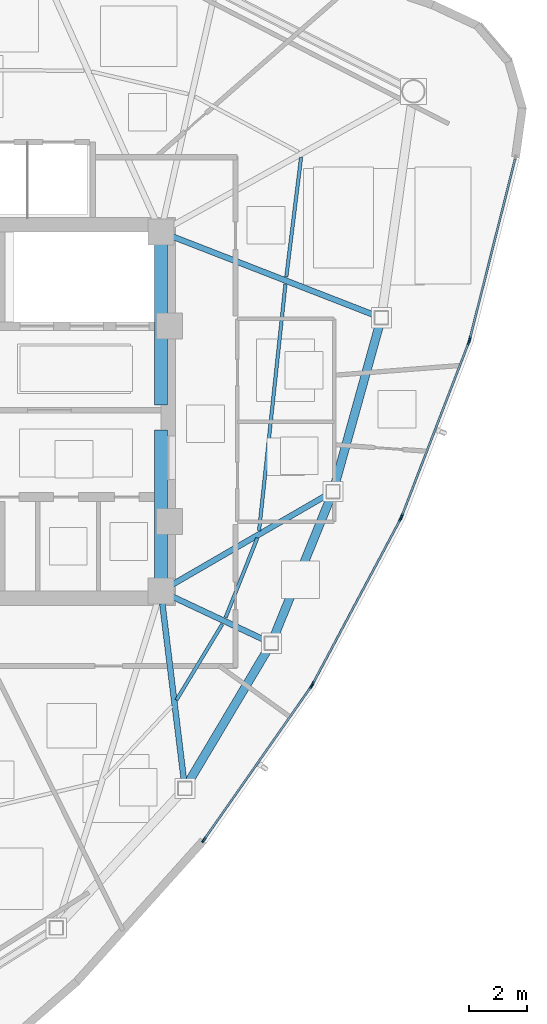
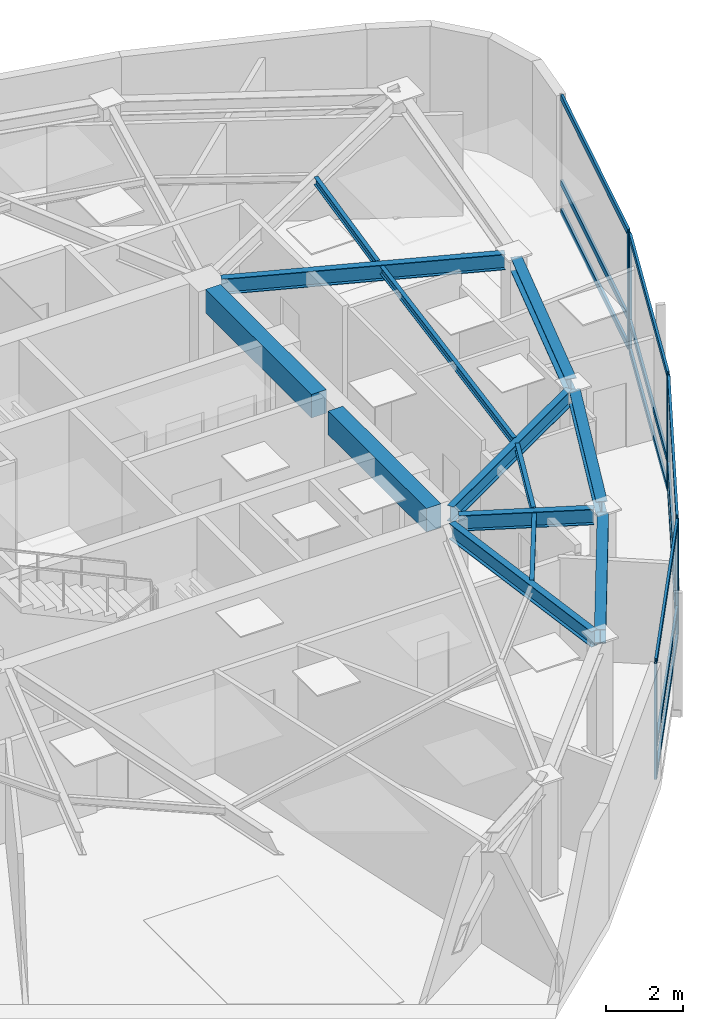
# One storey, part 4 of 12: 19 members, 13 beams, 4 elements without a shape of their own.
"""IFC4 building model written with IfcOpenShell, lengths in metres."""

from ifc_helpers import new_model, si_unit, direction, frame, origin, origin_2d, place, context, subcontext, project, spatial, rectangle, hollow_rectangle, i_section, extrude, source, transform, mapped, material, layer, layer_set, material_profile, profile_set, type_object, type_shapes, element, aggregate, save


model = new_model("IFC4")

# Units and contexts
model_context = context("Model", 3, precision=1e-05, world=origin(), true_north=direction((0.0, 1.0)))
body_context = subcontext(model_context, "Body", "Model", "MODEL_VIEW")
ifc_project = project(units=[si_unit("LENGTHUNIT", "METRE"), si_unit("AREAUNIT", "SQUARE_METRE"), si_unit("VOLUMEUNIT", "CUBIC_METRE"), si_unit("PLANEANGLEUNIT", "RADIAN"), si_unit("MASSUNIT", "GRAM", prefix="KILO")], contexts=[model_context])

# Site, building, storey
site_placement = place(None, origin())
site = spatial("IfcSite", under=ifc_project, at=site_placement, CompositionType="ELEMENT")
building_placement = place(site_placement, origin())
building = spatial("IfcBuilding", under=site, at=building_placement, Name="Tavelor Broadcast Tower", CompositionType="ELEMENT")
storey_placement = place(building_placement, frame((0.0, 0.0, 289.5)))
storey = spatial("IfcBuildingStorey", under=building, at=storey_placement, Name="L69", CompositionType="ELEMENT", Elevation=289.5)

# Beams
ifc_material_1 = material(Name="Concrete C40/50", Category="concrete")
ifc_material_profile_1 = material_profile(ifc_material_1, rectangle(XDim=0.449951171875, YDim=0.75, at=origin_2d()), Name="RC 450x750")
ifc_profile_set_1 = profile_set([ifc_material_profile_1], Name="Concrete C40/50")
beam_type_1 = type_object("IfcBeamType", Name="Basement Core Trim Beam 450x750", PredefinedType="BEAM", material=ifc_profile_set_1)
beam_1_placement = place(storey_placement, frame((56.60009765625, 45.23193359375, 3.324951171875), z_axis=(0.0, 1.0, 0.0), x_axis=(-1.0, 0.0, 0.0)))
element("IfcBeam", 1, at=beam_1_placement, inside=storey, type_object=beam_type_1, Name="L69 Core East-N Tie Girder", PredefinedType="BEAM", context=body_context, shape_type="SweptSolid", body=[
    extrude(rectangle(XDim=0.449951171875, YDim=0.75, at=origin_2d()), origin(), (0.0, 0.0, 1.0), 5.5361328125),
])
beam_2_placement = place(storey_placement, frame((56.60009765625, 39.23193359375, 3.324951171875), z_axis=(0.0, 1.0, 0.0), x_axis=(-1.0, 0.0, 0.0)))
element("IfcBeam", 2, at=beam_2_placement, inside=storey, type_object=beam_type_1, Name="L69 Core East-S Tie Girder", PredefinedType="BEAM", context=body_context, shape_type="SweptSolid", body=[
    extrude(rectangle(XDim=0.449951171875, YDim=0.75, at=origin_2d()), origin(), (0.0, 0.0, 1.0), 5.135986328125),
])
ifc_material_2 = material(Name="Steel S355", Category="steel")
ifc_material_profile_2 = material_profile(ifc_material_2, i_section(OverallWidth=0.1201171875, OverallDepth=0.239990234375, WebThickness=0.006103515625, FlangeThickness=0.009765625, at=origin_2d()), Name="IPE 240")
ifc_profile_set_2 = profile_set([ifc_material_profile_2], Name="Steel S355")
beam_type_2 = type_object("IfcBeamType", Name="Composite Floor Joist T7 IPE 240", PredefinedType="JOIST", material=ifc_profile_set_2)
beam_3_placement = place(storey_placement, frame((57.13916015625, 35.042724609375, 3.580078125), z_axis=(0.517298358592, 0.855805122793, 0.0), x_axis=(-0.855805122793, 0.517298358592, 0.0)))
element("IfcBeam", 3, at=beam_3_placement, inside=storey, type_object=beam_type_2, Name="L69 Secondary Composite Floor Joist 09", PredefinedType="JOIST", context=body_context, shape_type="SweptSolid", body=[
    extrude(i_section(OverallWidth=0.1201171875, OverallDepth=0.239990234375, WebThickness=0.006103515625, FlangeThickness=0.009765625, at=origin_2d()), origin(), (0.0, 0.0, 1.0), 3.058837890625),
])
beam_4_placement = place(storey_placement, frame((58.8359375, 37.890625, 3.580078125), z_axis=(0.370036486067, 0.929017222111, 0.0), x_axis=(-0.929017222111, 0.370036486067, 0.0)))
element("IfcBeam", 4, at=beam_4_placement, inside=storey, type_object=beam_type_2, Name="L69 Secondary Composite Floor Joist 10", PredefinedType="JOIST", context=body_context, shape_type="SweptSolid", body=[
    extrude(i_section(OverallWidth=0.1201171875, OverallDepth=0.239990234375, WebThickness=0.006103515625, FlangeThickness=0.009765625, at=origin_2d()), origin(), (0.0, 0.0, 1.0), 2.953857421875),
])
beam_5_placement = place(storey_placement, frame((59.990478515625, 40.8828125, 3.580078125), z_axis=(0.106517007909, 0.994310880473, 0.0), x_axis=(-0.994310880473, 0.106517007909, 0.0)))
element("IfcBeam", 5, at=beam_5_placement, inside=storey, type_object=beam_type_2, Name="L69 Secondary Composite Floor Joist 11", PredefinedType="JOIST", context=body_context, shape_type="SweptSolid", body=[
    extrude(i_section(OverallWidth=0.1201171875, OverallDepth=0.239990234375, WebThickness=0.006103515625, FlangeThickness=0.009765625, at=origin_2d()), origin(), (0.0, 0.0, 1.0), 8.558349609375),
])
beam_6_placement = place(storey_placement, frame((60.931884765625, 49.648681640625, 3.580078125), z_axis=(0.12271283089, 0.992442220552, 0.0), x_axis=(-0.992442220552, 0.12271283089, 0.0)))
element("IfcBeam", 6, at=beam_6_placement, inside=storey, type_object=beam_type_2, Name="L69 Secondary Composite Floor Joist 12", PredefinedType="JOIST", context=body_context, shape_type="SweptSolid", body=[
    extrude(i_section(OverallWidth=0.1201171875, OverallDepth=0.239990234375, WebThickness=0.006103515625, FlangeThickness=0.009765625, at=origin_2d()), origin(), (0.0, 0.0, 1.0), 4.16015625),
])
ifc_material_profile_3 = material_profile(ifc_material_2, i_section(OverallWidth=0.300048828125, OverallDepth=0.43994140625, WebThickness=0.011474609375, FlangeThickness=0.02099609375, at=origin_2d()), Name="HEA 450")
ifc_profile_set_3 = profile_set([ifc_material_profile_3], Name="Steel S355")
beam_type_3 = type_object("IfcBeamType", Name="Perimeter Spandrel Beam T7 HEA 450", PredefinedType="SPANDREL", material=ifc_profile_set_3)
beam_7_placement = place(storey_placement, frame((57.55419921875, 32.1982421875, 3.47998046875), z_axis=(0.511838109634, 0.859081922477, 0.0), x_axis=(-0.859081922477, 0.511838109634, 0.0)))
element("IfcBeam", 7, at=beam_7_placement, inside=storey, type_object=beam_type_3, Name="L69 Framed-Tube Ring Spandrel 09", PredefinedType="SPANDREL", context=body_context, shape_type="SweptSolid", body=[
    extrude(i_section(OverallWidth=0.300048828125, OverallDepth=0.43994140625, WebThickness=0.011474609375, FlangeThickness=0.02099609375, at=origin_2d()), origin(), (0.0, 0.0, 1.0), 5.354736328125),
])
beam_8_placement = place(storey_placement, frame((60.5078125, 37.226806640625, 3.47998046875), z_axis=(0.376269405566, 0.926510299152, 0.0), x_axis=(-0.926510299152, 0.376269405566, 0.0)))
element("IfcBeam", 8, at=beam_8_placement, inside=storey, type_object=beam_type_3, Name="L69 Framed-Tube Ring Spandrel 10", PredefinedType="SPANDREL", context=body_context, shape_type="SweptSolid", body=[
    extrude(i_section(OverallWidth=0.300048828125, OverallDepth=0.43994140625, WebThickness=0.011474609375, FlangeThickness=0.02099609375, at=origin_2d()), origin(), (0.0, 0.0, 1.0), 5.17138671875),
])
beam_9_placement = place(storey_placement, frame((62.608154296875, 42.4716796875, 3.47998046875), z_axis=(0.268356099851, 0.963319782664, 0.0), x_axis=(-0.963319782664, 0.268356099851, 0.0)))
element("IfcBeam", 9, at=beam_9_placement, inside=storey, type_object=beam_type_3, Name="L69 Framed-Tube Ring Spandrel 11", PredefinedType="SPANDREL", context=body_context, shape_type="SweptSolid", body=[
    extrude(i_section(OverallWidth=0.300048828125, OverallDepth=0.43994140625, WebThickness=0.011474609375, FlangeThickness=0.02099609375, at=origin_2d()), origin(), (0.0, 0.0, 1.0), 5.7451171875),
])
ifc_material_profile_4 = material_profile(ifc_material_2, i_section(OverallWidth=0.199951171875, OverallDepth=0.5, WebThickness=0.01025390625, FlangeThickness=0.01611328125, at=origin_2d()), Name="IPE 500")
ifc_profile_set_4 = profile_set([ifc_material_profile_4], Name="Steel S355")
beam_type_4 = type_object("IfcBeamType", Name="Radial Floor Girder T7 IPE 500", PredefinedType="BEAM", material=ifc_profile_set_4)
beam_10_placement = place(storey_placement, frame((56.65234375, 38.37109375, 3.449951171875), z_axis=(0.121231727596, -0.992624233144, 0.0), x_axis=(0.992624233144, 0.121231727596, 0.0)))
element("IfcBeam", 10, at=beam_10_placement, inside=storey, type_object=beam_type_4, Name="L69 Radial Primary Floor Girder 09", PredefinedType="BEAM", context=body_context, shape_type="SweptSolid", body=[
    extrude(i_section(OverallWidth=0.199951171875, OverallDepth=0.5, WebThickness=0.01025390625, FlangeThickness=0.01611328125, at=origin_2d()), origin(), (0.0, 0.0, 1.0), 6.1865234375),
])
beam_11_placement = place(storey_placement, frame((56.990966796875, 38.6162109375, 3.449951171875), z_axis=(0.904907602736, -0.425608071483, 0.0), x_axis=(0.425608071483, 0.904907602736, 0.0)))
element("IfcBeam", 11, at=beam_11_placement, inside=storey, type_object=beam_type_4, Name="L69 Radial Primary Floor Girder 10", PredefinedType="BEAM", context=body_context, shape_type="SweptSolid", body=[
    extrude(i_section(OverallWidth=0.199951171875, OverallDepth=0.5, WebThickness=0.01025390625, FlangeThickness=0.01611328125, at=origin_2d()), origin(), (0.0, 0.0, 1.0), 3.546630859375),
])
beam_12_placement = place(storey_placement, frame((56.973876953125, 39.016357421875, 3.449951171875), z_axis=(0.865460455047, 0.500977245741, 0.0), x_axis=(-0.500977245741, 0.865460455047, 0.0)))
element("IfcBeam", 12, at=beam_12_placement, inside=storey, type_object=beam_type_4, Name="L69 Radial Primary Floor Girder 11", PredefinedType="BEAM", context=body_context, shape_type="SweptSolid", body=[
    extrude(i_section(OverallWidth=0.199951171875, OverallDepth=0.5, WebThickness=0.01025390625, FlangeThickness=0.01611328125, at=origin_2d()), origin(), (0.0, 0.0, 1.0), 6.19580078125),
])
beam_13_placement = place(storey_placement, frame((57.002685546875, 51.04345703125, 3.449951171875), z_axis=(0.931940498833, -0.362611233466, 0.0), x_axis=(0.362611233466, 0.931940498833, 0.0)))
element("IfcBeam", 13, at=beam_13_placement, inside=storey, type_object=beam_type_4, Name="L69 Radial Primary Floor Girder 12", PredefinedType="BEAM", context=body_context, shape_type="SweptSolid", body=[
    extrude(i_section(OverallWidth=0.199951171875, OverallDepth=0.5, WebThickness=0.01025390625, FlangeThickness=0.01611328125, at=origin_2d()), origin(), (0.0, 0.0, 1.0), 7.498291015625),
])

# Curtain wall, members
ifc_material_3 = material(Name="Architectural Anodized Aluminium", Category="aluminium")
ifc_layer = layer(ifc_material_3, 0.199951171875)
ifc_layer_set = layer_set([ifc_layer], Name="Architectural Anodized Aluminium")
curtain_wall_type = type_object("IfcCurtainWallType", Name="Tower High-Zone Triple-Glazed Curtain Wall CW04", PredefinedType="NOTDEFINED", material=ifc_layer_set)
curtain_wall_1_placement = place(storey_placement, origin())
curtain_wall_1 = element("IfcCurtainWall", 14, at=curtain_wall_1_placement, inside=storey, type_object=curtain_wall_type, Name="L69 Curtain Wall CW04 Run 761", PredefinedType="NOTDEFINED")
ifc_material_profile_5 = material_profile(ifc_material_3, hollow_rectangle(XDim=0.070068359375, YDim=0.199951171875, WallThickness=0.02197265625, at=origin_2d()), Name="RHS 70x200x22")
ifc_profile_set_5 = profile_set([ifc_material_profile_5], Name="Architectural Anodized Aluminium")
member_type_1 = type_object("IfcMemberType", Name="CW04 Extruded Aluminium Mullion 70x200", PredefinedType="MULLION", material=ifc_profile_set_5)
shared_shape_1 = source(origin(), body_context, "Body", "SweptSolid", [
    extrude(hollow_rectangle(XDim=0.070068359375, YDim=0.199951171875, WallThickness=0.02197265625, at=origin_2d()), origin(), (0.0, 0.0, 1.0), 3.699951171875),
])
type_shapes(member_type_1, [shared_shape_1])
member_1_placement = place(storey_placement, frame((58.085693359375, 30.21435546875, 0.0), z_axis=(0.0, 0.0, 1.0), x_axis=(-0.819407346152, 0.573211654689, 0.0)))
member_1 = element("IfcMember", 15, at=member_1_placement, type_object=member_type_1, Name="CW04 mullion 1", PredefinedType="MULLION", context=body_context, shape_type="MappedRepresentation", body=[
    mapped(shared_shape_1, transform((0.0, 0.0, 0.0), scale=1.0)),
])
member_2_placement = place(storey_placement, frame((61.790283203125, 35.51025390625, 0.0), z_axis=(0.0, 0.0, 1.0), x_axis=(-0.819407346152, 0.573211654689, 0.0)))
member_2 = element("IfcMember", 16, at=member_2_placement, type_object=member_type_1, Name="CW04 mullion 2", PredefinedType="MULLION", context=body_context, shape_type="MappedRepresentation", body=[
    mapped(shared_shape_1, transform((0.0, 0.0, 0.0), scale=1.0)),
])

curtain_wall_2_placement = place(storey_placement, origin())
curtain_wall_2 = element("IfcCurtainWall", 17, at=curtain_wall_2_placement, inside=storey, type_object=curtain_wall_type, Name="L69 Curtain Wall CW04 Run 762", PredefinedType="NOTDEFINED")
member_3_placement = place(storey_placement, frame((61.842529296875, 35.59521484375, 0.0), z_axis=(0.0, 0.0, 1.0), x_axis=(-0.88274080637, 0.469860265153, 0.0)))
member_3 = element("IfcMember", 18, at=member_3_placement, type_object=member_type_1, Name="CW04 mullion 1", PredefinedType="MULLION", context=body_context, shape_type="MappedRepresentation", body=[
    mapped(shared_shape_1, transform((0.0, 0.0, 0.0), scale=1.0)),
])
member_4_placement = place(storey_placement, frame((64.872314453125, 41.287353515625, 0.0), z_axis=(0.0, 0.0, 1.0), x_axis=(-0.88274080637, 0.469860265153, 0.0)))
member_4 = element("IfcMember", 19, at=member_4_placement, type_object=member_type_1, Name="CW04 mullion 2", PredefinedType="MULLION", context=body_context, shape_type="MappedRepresentation", body=[
    mapped(shared_shape_1, transform((0.0, 0.0, 0.0), scale=1.0)),
])

curtain_wall_3_placement = place(storey_placement, origin())
curtain_wall_3 = element("IfcCurtainWall", 20, at=curtain_wall_3_placement, inside=storey, type_object=curtain_wall_type, Name="L69 Curtain Wall CW04 Run 763", PredefinedType="NOTDEFINED")
member_5_placement = place(storey_placement, frame((64.91357421875, 41.378173828125, 0.0), z_axis=(0.0, 0.0, 1.0), x_axis=(-0.933117660364, 0.359571177818, 0.0)))
member_5 = element("IfcMember", 21, at=member_5_placement, type_object=member_type_1, Name="CW04 mullion 1", PredefinedType="MULLION", context=body_context, shape_type="MappedRepresentation", body=[
    mapped(shared_shape_1, transform((0.0, 0.0, 0.0), scale=1.0)),
])
member_6_placement = place(storey_placement, frame((67.232177734375, 47.39501953125, 0.0), z_axis=(0.0, 0.0, 1.0), x_axis=(-0.933117660364, 0.359571177818, 0.0)))
member_6 = element("IfcMember", 22, at=member_6_placement, type_object=member_type_1, Name="CW04 mullion 2", PredefinedType="MULLION", context=body_context, shape_type="MappedRepresentation", body=[
    mapped(shared_shape_1, transform((0.0, 0.0, 0.0), scale=1.0)),
])

# Curtain wall, member
curtain_wall_4_placement = place(storey_placement, origin())
curtain_wall_4 = element("IfcCurtainWall", 23, at=curtain_wall_4_placement, inside=storey, type_object=curtain_wall_type, Name="L69 Curtain Wall CW04 Run 764", PredefinedType="NOTDEFINED")
member_7_placement = place(storey_placement, frame((67.262451171875, 47.490234375, 0.0), z_axis=(0.0, 0.0, 1.0), x_axis=(-0.969770450424, 0.244019002303, 0.0)))
member_7 = element("IfcMember", 24, at=member_7_placement, type_object=member_type_1, Name="CW04 mullion 1", PredefinedType="MULLION", context=body_context, shape_type="MappedRepresentation", body=[
    mapped(shared_shape_1, transform((0.0, 0.0, 0.0), scale=1.0)),
])

# Member
ifc_material_profile_6 = material_profile(ifc_material_3, hollow_rectangle(XDim=0.070068359375, YDim=0.199951171875, WallThickness=0.02197265625, at=origin_2d()), Name="RHS 70x200x22")
ifc_profile_set_6 = profile_set([ifc_material_profile_6], Name="Architectural Anodized Aluminium")
member_type_2 = type_object("IfcMemberType", Name="CW04 Extruded Aluminium Transom 70x200", PredefinedType="USERDEFINED", material=ifc_profile_set_6)
shared_shape_2 = source(origin(), body_context, "Body", "SweptSolid", [
    extrude(hollow_rectangle(XDim=0.070068359375, YDim=0.199951171875, WallThickness=0.02197265625, at=origin_2d()), origin(), (0.0, 0.0, 1.0), 6.392822265625),
])
member_8_placement = place(storey_placement, frame((58.105712890625, 30.2431640625, 0.034912109375), z_axis=(0.573226518795, 0.819396947853, 0.0), x_axis=(-0.819396947853, 0.573226518795, 0.0)))
member_8 = element("IfcMember", 25, at=member_8_placement, type_object=member_type_2, Name="CW04 transom 1.1", ObjectType="TRANSOM", PredefinedType="USERDEFINED", context=body_context, shape_type="MappedRepresentation", body=[
    mapped(shared_shape_2, transform((0.0, 0.0, 0.0), scale=1.0)),
])

member_9_placement = place(storey_placement, frame((58.105712890625, 30.2431640625, 0.949951171875), z_axis=(0.573226518795, 0.819396947853, 0.0), x_axis=(-0.819396947853, 0.573226518795, 0.0)))
member_9 = element("IfcMember", 26, at=member_9_placement, type_object=member_type_2, Name="CW04 transom 1.2", ObjectType="TRANSOM", PredefinedType="USERDEFINED", context=body_context, shape_type="MappedRepresentation", body=[
    mapped(shared_shape_2, transform((0.0, 0.0, 0.0), scale=1.0)),
])

member_10_placement = place(storey_placement, frame((58.105712890625, 30.2431640625, 3.6650390625), z_axis=(0.573226518795, 0.819396947853, 0.0), x_axis=(-0.819396947853, 0.573226518795, 0.0)))
member_10 = element("IfcMember", 27, at=member_10_placement, type_object=member_type_2, Name="CW04 transom 1.3", ObjectType="TRANSOM", PredefinedType="USERDEFINED", context=body_context, shape_type="MappedRepresentation", body=[
    mapped(shared_shape_2, transform((0.0, 0.0, 0.0), scale=1.0)),
])

aggregate(curtain_wall_1, [member_1, member_2, member_8, member_9, member_10])

shared_shape_3 = source(origin(), body_context, "Body", "SweptSolid", [
    extrude(hollow_rectangle(XDim=0.070068359375, YDim=0.199951171875, WallThickness=0.02197265625, at=origin_2d()), origin(), (0.0, 0.0, 1.0), 6.3779296875),
])
member_11_placement = place(storey_placement, frame((61.85888671875, 35.626220703125, 0.034912109375), z_axis=(0.469866881991, 0.882737284365, 0.0), x_axis=(-0.882737284365, 0.469866881991, 0.0)))
member_11 = element("IfcMember", 28, at=member_11_placement, type_object=member_type_2, Name="CW04 transom 1.1", ObjectType="TRANSOM", PredefinedType="USERDEFINED", context=body_context, shape_type="MappedRepresentation", body=[
    mapped(shared_shape_3, transform((0.0, 0.0, 0.0), scale=1.0)),
])

member_12_placement = place(storey_placement, frame((61.85888671875, 35.626220703125, 0.949951171875), z_axis=(0.469866881991, 0.882737284365, 0.0), x_axis=(-0.882737284365, 0.469866881991, 0.0)))
member_12 = element("IfcMember", 29, at=member_12_placement, type_object=member_type_2, Name="CW04 transom 1.2", ObjectType="TRANSOM", PredefinedType="USERDEFINED", context=body_context, shape_type="MappedRepresentation", body=[
    mapped(shared_shape_3, transform((0.0, 0.0, 0.0), scale=1.0)),
])

member_13_placement = place(storey_placement, frame((61.85888671875, 35.626220703125, 3.6650390625), z_axis=(0.469866881991, 0.882737284365, 0.0), x_axis=(-0.882737284365, 0.469866881991, 0.0)))
member_13 = element("IfcMember", 30, at=member_13_placement, type_object=member_type_2, Name="CW04 transom 1.3", ObjectType="TRANSOM", PredefinedType="USERDEFINED", context=body_context, shape_type="MappedRepresentation", body=[
    mapped(shared_shape_3, transform((0.0, 0.0, 0.0), scale=1.0)),
])

aggregate(curtain_wall_2, [member_3, member_4, member_11, member_12, member_13])

member_14_placement = place(storey_placement, frame((64.92626953125, 41.410888671875, 0.034912109375), z_axis=(0.359586918776, 0.933111594529, 0.0), x_axis=(-0.933111594529, 0.359586918776, 0.0)))
member_14 = element("IfcMember", 31, at=member_14_placement, type_object=member_type_2, Name="CW04 transom 1.1", ObjectType="TRANSOM", PredefinedType="USERDEFINED", context=body_context, shape_type="MappedRepresentation", body=[
    mapped(shared_shape_3, transform((0.0, 0.0, 0.0), scale=1.0)),
])

member_15_placement = place(storey_placement, frame((64.92626953125, 41.410888671875, 0.949951171875), z_axis=(0.359586918776, 0.933111594529, 0.0), x_axis=(-0.933111594529, 0.359586918776, 0.0)))
member_15 = element("IfcMember", 32, at=member_15_placement, type_object=member_type_2, Name="CW04 transom 1.2", ObjectType="TRANSOM", PredefinedType="USERDEFINED", context=body_context, shape_type="MappedRepresentation", body=[
    mapped(shared_shape_3, transform((0.0, 0.0, 0.0), scale=1.0)),
])

member_16_placement = place(storey_placement, frame((64.92626953125, 41.410888671875, 3.6650390625), z_axis=(0.359586918776, 0.933111594529, 0.0), x_axis=(-0.933111594529, 0.359586918776, 0.0)))
member_16 = element("IfcMember", 33, at=member_16_placement, type_object=member_type_2, Name="CW04 transom 1.3", ObjectType="TRANSOM", PredefinedType="USERDEFINED", context=body_context, shape_type="MappedRepresentation", body=[
    mapped(shared_shape_3, transform((0.0, 0.0, 0.0), scale=1.0)),
])

aggregate(curtain_wall_3, [member_5, member_6, member_14, member_15, member_16])

shared_shape_4 = source(origin(), body_context, "Body", "SweptSolid", [
    extrude(hollow_rectangle(XDim=0.070068359375, YDim=0.199951171875, WallThickness=0.02197265625, at=origin_2d()), origin(), (0.0, 0.0, 1.0), 6.393798828125),
])
type_shapes(member_type_2, [shared_shape_2, shared_shape_3, shared_shape_4])
member_17_placement = place(storey_placement, frame((67.27099609375, 47.524169921875, 0.034912109375), z_axis=(0.244035752677, 0.969766235448, 0.0), x_axis=(-0.969766235448, 0.244035752677, 0.0)))
member_17 = element("IfcMember", 34, at=member_17_placement, type_object=member_type_2, Name="CW04 transom 1.1", ObjectType="TRANSOM", PredefinedType="USERDEFINED", context=body_context, shape_type="MappedRepresentation", body=[
    mapped(shared_shape_4, transform((0.0, 0.0, 0.0), scale=1.0)),
])

member_18_placement = place(storey_placement, frame((67.27099609375, 47.524169921875, 0.949951171875), z_axis=(0.244035752677, 0.969766235448, 0.0), x_axis=(-0.969766235448, 0.244035752677, 0.0)))
member_18 = element("IfcMember", 35, at=member_18_placement, type_object=member_type_2, Name="CW04 transom 1.2", ObjectType="TRANSOM", PredefinedType="USERDEFINED", context=body_context, shape_type="MappedRepresentation", body=[
    mapped(shared_shape_4, transform((0.0, 0.0, 0.0), scale=1.0)),
])

member_19_placement = place(storey_placement, frame((67.27099609375, 47.524169921875, 3.6650390625), z_axis=(0.244035752677, 0.969766235448, 0.0), x_axis=(-0.969766235448, 0.244035752677, 0.0)))
member_19 = element("IfcMember", 36, at=member_19_placement, type_object=member_type_2, Name="CW04 transom 1.3", ObjectType="TRANSOM", PredefinedType="USERDEFINED", context=body_context, shape_type="MappedRepresentation", body=[
    mapped(shared_shape_4, transform((0.0, 0.0, 0.0), scale=1.0)),
])

aggregate(curtain_wall_4, [member_7, member_17, member_18, member_19])

save(model, "model.ifc")
